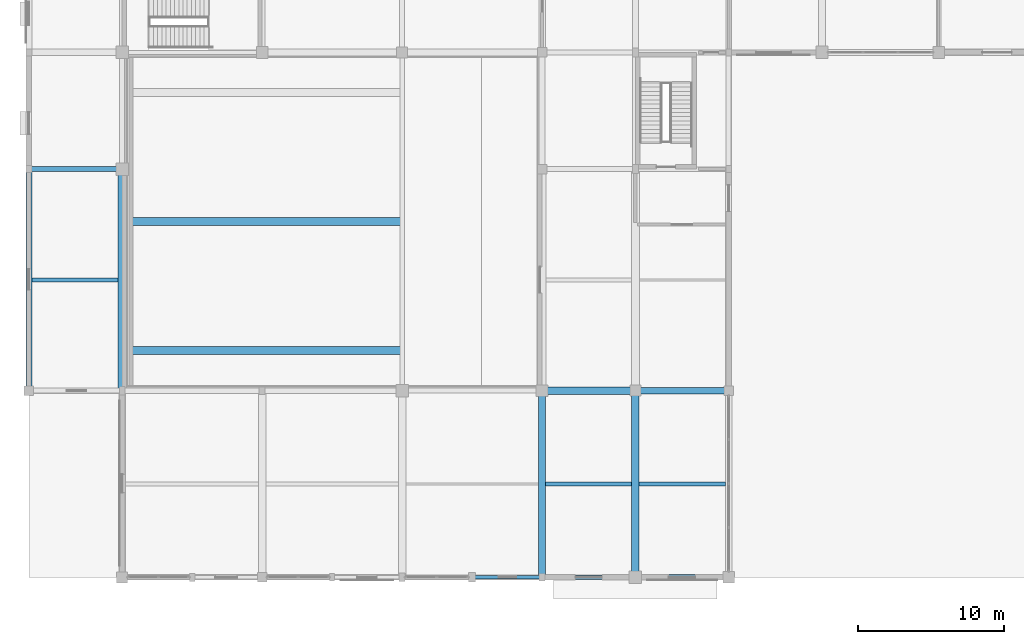
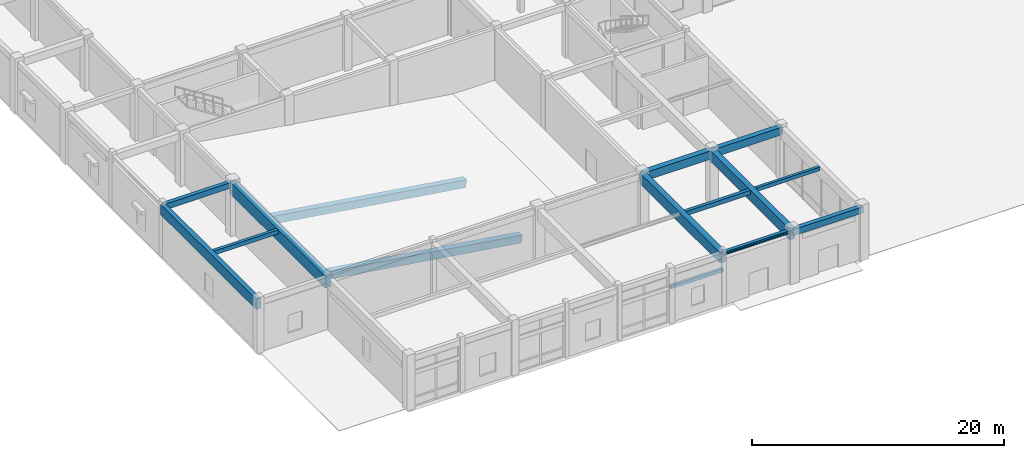
# One storey, part 5 of 40: 15 beams.
"""IFC4 building model written with IfcOpenShell, lengths in metres."""

import ifcopenshell
import ifcopenshell.guid

model = None  # the IFC model being written
_history = None  # IfcOwnerHistory: only IFC2X3 demands one
_inside = {}  # id of a spatial element -> (the spatial element, [elements in it])
_under = {}  # id of a project, library or spatial element -> (it, [spatial elements below it])
_declared = {}  # id of a project -> (the project, [libraries it declares])
_typed = {}  # id of a type object -> (the type object, [elements of that type])
_made_of = {}  # id of a material, layer set ... -> (it, [elements and type objects made of it])


def new_model(schema):
    """Start an empty IFC model of exactly this schema.

    Asked for "IFC4X3", IfcOpenShell would pick the latest addendum, in which some entities
    have other attributes; the version numbers below select the first issue.
    IFC2X3 requires an IfcOwnerHistory on every rooted entity: one is made here for all.
    """
    global model, _history
    if schema == "IFC4X3":
        model = ifcopenshell.file(schema_version=(4, 3, 0, 0))
    else:
        model = ifcopenshell.file(schema=schema)
    _inside.clear()
    _under.clear()
    _declared.clear()
    _typed.clear()
    _made_of.clear()
    _history = None
    if model.schema == "IFC2X3":
        org = make("IfcOrganization", Name="unknown")
        user = make(
            "IfcPersonAndOrganization",
            ThePerson=make("IfcPerson", FamilyName="unknown"),
            TheOrganization=org,
        )
        app = make(
            "IfcApplication",
            ApplicationDeveloper=org,
            Version="unknown",
            ApplicationFullName="unknown",
            ApplicationIdentifier="unknown",
        )
        _history = make(
            "IfcOwnerHistory",
            OwningUser=user,
            OwningApplication=app,
            ChangeAction="ADDED",
            CreationDate=0,
        )
    return model


def make(cls, **values):
    """One entity of the class cls with the attributes given. An attribute that is None is left unset."""
    return model.create_entity(
        cls, **{name: value for name, value in values.items() if value is not None}
    )


def rooted(cls, **values):
    """An entity with a GlobalId (a new one), such as an element, a storey or a relation."""
    return make(cls, GlobalId=ifcopenshell.guid.new(), OwnerHistory=_history, **values)


def si_unit(unit_type, name, prefix=None):
    """IfcSIUnit, for example si_unit("LENGTHUNIT", "METRE", prefix="MILLI")."""
    return make("IfcSIUnit", UnitType=unit_type, Prefix=prefix, Name=name)


def assignment(units):
    """IfcUnitAssignment: the units of a project."""
    return None if units is None else make("IfcUnitAssignment", Units=units)


def point(xyz):
    """IfcCartesianPoint."""
    return None if xyz is None else make("IfcCartesianPoint", Coordinates=xyz)


def direction(xyz):
    """IfcDirection."""
    return None if xyz is None else make("IfcDirection", DirectionRatios=xyz)


def frame(location, z_axis=None, x_axis=None):
    """IfcAxis2Placement3D, a coordinate frame: its origin and axes. An axis left out is left unset."""
    return make(
        "IfcAxis2Placement3D",
        Location=point(location),
        Axis=direction(z_axis),
        RefDirection=direction(x_axis),
    )


def frame_2d(location, x_axis=None):
    """IfcAxis2Placement2D, a coordinate frame in the plane: its origin and x axis."""
    return make(
        "IfcAxis2Placement2D", Location=point(location), RefDirection=direction(x_axis)
    )


def origin():
    """The frame at (0, 0, 0) with its axes left unset."""
    return frame((0.0, 0.0, 0.0))


def origin_2d():
    """The frame at (0, 0) in the plane with its x axis left unset."""
    return frame_2d((0.0, 0.0))


def place(relative_to, where):
    """IfcLocalPlacement: puts the frame where relative to a parent placement (None: the world)."""
    return make(
        "IfcLocalPlacement", PlacementRelTo=relative_to, RelativePlacement=where
    )


def context(
    kind, dimensions, precision=None, world=None, true_north=None, identifier=None
):
    """IfcGeometricRepresentationContext, for example the 3D "Model" context."""
    return make(
        "IfcGeometricRepresentationContext",
        ContextIdentifier=identifier,
        ContextType=kind,
        CoordinateSpaceDimension=dimensions,
        Precision=precision,
        WorldCoordinateSystem=world,
        TrueNorth=true_north,
    )


def subcontext(parent, identifier, kind, view, scale=None):
    """IfcGeometricRepresentationSubContext, for example "Body" below "Model"."""
    return make(
        "IfcGeometricRepresentationSubContext",
        ContextIdentifier=identifier,
        ContextType=kind,
        ParentContext=parent,
        TargetScale=scale,
        TargetView=view,
    )


def project(units=None, contexts=None):
    """IfcProject with its units and contexts."""
    return rooted(
        "IfcProject",
        Name="project",
        RepresentationContexts=contexts,
        UnitsInContext=assignment(units),
    )


def spatial(cls, under=None, at=None, **own):
    """A site, building, storey or space (cls), placed at a placement, below another one or the project."""
    s = rooted(cls, ObjectPlacement=at, **own)
    if under is not None:
        _under.setdefault(under.id(), (under, []))[1].append(s)
    return s


def profile(cls, at=None, kind="AREA", **sizes):
    """A parametric profile (cls). Its sizes go by their IFC names, for example OverallWidth=200.0."""
    return make(cls, ProfileType=kind, Position=at, **sizes)


def rectangle(**sizes):
    """IfcRectangleProfileDef."""
    return profile("IfcRectangleProfileDef", **sizes)


def i_section(**sizes):
    """IfcIShapeProfileDef."""
    return profile("IfcIShapeProfileDef", **sizes)


def extrude(swept, where, along, depth):
    """IfcExtrudedAreaSolid: the profile swept, set in the frame where, extruded along a direction by depth."""
    return make(
        "IfcExtrudedAreaSolid",
        SweptArea=swept,
        Position=where,
        ExtrudedDirection=direction(along),
        Depth=depth,
    )


def shape(context_of_items, identifier, shape_type, items):
    """IfcShapeRepresentation: the items that make up one representation, for example the "Body"."""
    return make(
        "IfcShapeRepresentation",
        ContextOfItems=context_of_items,
        RepresentationIdentifier=identifier,
        RepresentationType=shape_type,
        Items=items,
    )


def material(Name=None, Category=None):
    """IfcMaterial."""
    return make("IfcMaterial", Name=Name, Category=Category)


def material_profile(
    of_material, cross_section, Name=None, Category=None, Priority=None
):
    """IfcMaterialProfile: a cross section and its material."""
    return make(
        "IfcMaterialProfile",
        Name=Name,
        Material=of_material,
        Profile=cross_section,
        Priority=Priority,
        Category=Category,
    )


def profile_set(profiles, Name=None, composite=None):
    """IfcMaterialProfileSet."""
    return make(
        "IfcMaterialProfileSet",
        Name=Name,
        MaterialProfiles=profiles,
        CompositeProfile=composite,
    )


def made_of(thing, what):
    """Note that an element or type object is made of a material, layer set ...; save() writes the relation."""
    if what is not None:
        _made_of.setdefault(what.id(), (what, []))[1].append(thing)
    return thing


def type_object(cls, material=None, **own):
    """A type object (cls), such as IfcWallType, which elements share."""
    return made_of(rooted(cls, **own), material)


def element(
    cls,
    number,
    at=None,
    inside=None,
    cuts=None,
    type_object=None,
    material=None,
    context=None,
    identifier="Body",
    shape_type=None,
    held_by="IfcProductDefinitionShape",
    body=None,
    shapes=None,
    **own,
):
    """One element of the class cls, such as IfcWall. Its Tag is "e" and its number.

    at: its placement. inside: the storey or other place that contains it. cuts: it is an
    opening in that element (IfcRelVoidsElement). A single representation is given by context,
    identifier, shape_type and body (its items); several are given by shapes. held_by: the class
    of the entity that holds the representations. save() writes the other relations.
    """
    e = rooted(cls, Tag="e%d" % number, ObjectPlacement=at, **own)
    if body is not None:
        shapes = [shape(context, identifier, shape_type, body)]
    if shapes is not None:
        e.Representation = make(held_by, Representations=shapes)
    if inside is not None:
        _inside.setdefault(inside.id(), (inside, []))[1].append(e)
    if cuts is not None:
        rooted(
            "IfcRelVoidsElement", RelatingBuildingElement=cuts, RelatedOpeningElement=e
        )
    if type_object is not None:
        _typed.setdefault(type_object.id(), (type_object, []))[1].append(e)
    return made_of(e, material)


def aggregate(whole, parts):
    """IfcRelAggregates: a whole, such as a stair, and the parts it consists of."""
    return rooted("IfcRelAggregates", RelatingObject=whole, RelatedObjects=parts)


def save(model, path):
    """Write the relations noted so far, then the file.

    IfcRelAggregates (storeys below a building ...), IfcRelContainedInSpatialStructure (elements
    in a storey), IfcRelDefinesByType, IfcRelAssociatesMaterial and IfcRelDeclares: one each for
    every whole, place, type object, material and project.
    """
    for whole, parts in _under.values():
        aggregate(whole, parts)
    for where, things in _inside.values():
        rooted(
            "IfcRelContainedInSpatialStructure",
            RelatedElements=things,
            RelatingStructure=where,
        )
    for kind, things in _typed.values():
        rooted("IfcRelDefinesByType", RelatedObjects=things, RelatingType=kind)
    for what, things in _made_of.values():
        rooted("IfcRelAssociatesMaterial", RelatedObjects=things, RelatingMaterial=what)
    for by, libraries in _declared.values():
        rooted("IfcRelDeclares", RelatingContext=by, RelatedDefinitions=libraries)
    model.write(path)


model = new_model("IFC4")

# Units and contexts
model_context = context("Model", 3, precision=1e-05, world=origin(), true_north=direction((0.0, 1.0)))
body_context = subcontext(model_context, "Body", "Model", "MODEL_VIEW")
ifc_project = project(units=[si_unit("LENGTHUNIT", "METRE"), si_unit("AREAUNIT", "SQUARE_METRE"), si_unit("VOLUMEUNIT", "CUBIC_METRE"), si_unit("PLANEANGLEUNIT", "RADIAN"), si_unit("MASSUNIT", "GRAM", prefix="KILO")], contexts=[model_context])

# Site, building, storey
site_placement = place(None, origin())
site = spatial("IfcSite", under=ifc_project, at=site_placement, CompositionType="ELEMENT")
building_placement = place(site_placement, origin())
building = spatial("IfcBuilding", under=site, at=building_placement, Name="Vellmiral Cinema and Media Centre", CompositionType="ELEMENT")
storey_placement = place(building_placement, origin())
storey = spatial("IfcBuildingStorey", under=building, at=storey_placement, Name="L00", CompositionType="ELEMENT", Elevation=0.0)

# Beams
ifc_material_1 = material(Name="Concrete C40/50", Category="concrete")
ifc_material_profile_1 = material_profile(ifc_material_1, rectangle(XDim=0.35009765625, YDim=0.550048828125, at=origin_2d()), Name="RC 350x550")
ifc_profile_set_1 = profile_set([ifc_material_profile_1], Name="Concrete C40/50")
beam_type_1 = type_object("IfcBeamType", Name="BM-RC-350x550", PredefinedType="BEAM", material=ifc_profile_set_1)
beam_1_placement = place(storey_placement, frame((0.0, 28.0, 4.800048828125), z_axis=(1.0, 0.0, 0.0), x_axis=(0.0, 1.0, 0.0)))
element("IfcBeam", 1, at=beam_1_placement, inside=storey, type_object=beam_type_1, Name="Grid Beam L00-X016", PredefinedType="BEAM", context=body_context, shape_type="SweptSolid", body=[
    extrude(rectangle(XDim=0.35009765625, YDim=0.550048828125, at=origin_2d()), origin(), (0.0, 0.0, 1.0), 6.39990234375),
])
ifc_material_2 = material(Name="Concrete C40/50", Category="concrete")
ifc_material_profile_2 = material_profile(ifc_material_2, rectangle(XDim=0.449951171875, YDim=0.75, at=origin_2d()), Name="RC 450x750")
ifc_profile_set_2 = profile_set([ifc_material_profile_2], Name="Concrete C40/50")
beam_type_2 = type_object("IfcBeamType", Name="BM-RC-450x750", PredefinedType="BEAM", material=ifc_profile_set_2)
beam_2_placement = place(storey_placement, frame((41.60009765625, 12.800048828125, 4.699951171875), z_axis=(1.0, 0.0, 0.0), x_axis=(0.0, 1.0, 0.0)))
element("IfcBeam", 2, at=beam_2_placement, inside=storey, type_object=beam_type_2, Name="Grid Beam L00-X011", PredefinedType="BEAM", context=body_context, shape_type="SweptSolid", body=[
    extrude(rectangle(XDim=0.449951171875, YDim=0.75, at=origin_2d()), origin(), (0.0, 0.0, 1.0), 6.39990234375),
])
ifc_material_3 = material(Name="Concrete C40/50", Category="concrete")
ifc_material_profile_3 = material_profile(ifc_material_3, rectangle(XDim=0.5, YDim=0.800048828125, at=origin_2d()), Name="RC 500x800")
ifc_profile_set_3 = profile_set([ifc_material_profile_3], Name="Concrete C40/50")
beam_type_3 = type_object("IfcBeamType", Name="BM-RC-500x800", PredefinedType="BEAM", material=ifc_profile_set_3)
beam_3_placement = place(storey_placement, frame((35.199951171875, 12.800048828125, 4.675048828125), z_axis=(1.0, 0.0, 0.0), x_axis=(0.0, 1.0, 0.0)))
element("IfcBeam", 3, at=beam_3_placement, inside=storey, type_object=beam_type_3, Name="Grid Beam L00-X010", PredefinedType="BEAM", context=body_context, shape_type="SweptSolid", body=[
    extrude(rectangle(XDim=0.5, YDim=0.800048828125, at=origin_2d()), origin(), (0.0, 0.0, 1.0), 6.400146484375),
])
ifc_material_4 = material(Name="Concrete C40/50", Category="concrete")
ifc_material_profile_4 = material_profile(ifc_material_4, rectangle(XDim=0.5, YDim=1.050048828125, at=origin_2d()), Name="RC 500x1050")
ifc_profile_set_4 = profile_set([ifc_material_profile_4], Name="Concrete C40/50")
beam_type_4 = type_object("IfcBeamType", Name="BM-RCG-500x1050", PredefinedType="BEAM", material=ifc_profile_set_4)
for number, where, z_axis, x_axis, name in (
    (4, (35.199951171875, 0.0, 4.550048828125), (0.0, 1.0, 0.0), (-1.0, 0.0, 0.0), "Grid Beam L00-Y217"),
    (5, (41.60009765625, 0.0, 4.550048828125), (0.0, 1.0, 0.0), (-1.0, 0.0, 0.0), "Grid Beam L00-Y229"),
):
    element("IfcBeam", number, at=place(storey_placement, frame(where, z_axis=z_axis, x_axis=x_axis)), inside=storey, type_object=beam_type_4, Name=name, PredefinedType="BEAM", context=body_context, shape_type="SweptSolid", body=[
        extrude(rectangle(XDim=0.5, YDim=1.050048828125, at=origin_2d()), origin(), (0.0, 0.0, 1.0), 12.800048828125),
    ])
ifc_material_5 = material(Name="Concrete C40/50", Category="concrete")
ifc_material_profile_5 = material_profile(ifc_material_5, rectangle(XDim=0.550048828125, YDim=1.14990234375, at=origin_2d()), Name="RC 550x1150")
ifc_profile_set_5 = profile_set([ifc_material_profile_5], Name="Concrete C40/50")
beam_type_5 = type_object("IfcBeamType", Name="BM-RCG-550x1150", PredefinedType="BEAM", material=ifc_profile_set_5)
beam_4_placement = place(storey_placement, frame((6.39990234375, 12.800048828125, 4.5), z_axis=(0.0, 1.0, 0.0), x_axis=(-1.0, 0.0, 0.0)))
element("IfcBeam", 6, at=beam_4_placement, inside=storey, type_object=beam_type_5, Name="Grid Beam L00-Y199", PredefinedType="BEAM", context=body_context, shape_type="SweptSolid", body=[
    extrude(rectangle(XDim=0.550048828125, YDim=1.14990234375, at=origin_2d()), origin(), (0.0, 0.0, 1.0), 15.199951171875),
])
ifc_material_6 = material(Name="Concrete C40/50", Category="concrete")
ifc_material_profile_6 = material_profile(ifc_material_6, rectangle(XDim=0.25, YDim=0.35009765625, at=origin_2d()), Name="RC 250x350")
ifc_profile_set_6 = profile_set([ifc_material_profile_6], Name="Concrete C40/50")
beam_type_6 = type_object("IfcBeamType", Name="JST-RC-250x350", PredefinedType="JOIST", material=ifc_profile_set_6)
beam_5_placement = place(storey_placement, frame((41.85009765625, 6.39990234375, 4.89990234375), z_axis=(1.0, 0.0, 0.0), x_axis=(0.0, 1.0, 0.0)))
element("IfcBeam", 7, at=beam_5_placement, inside=storey, type_object=beam_type_6, Name="Secondary Floor Joist L00-009", PredefinedType="JOIST", context=body_context, shape_type="SweptSolid", body=[
    extrude(rectangle(XDim=0.25, YDim=0.35009765625, at=origin_2d()), origin(), (0.0, 0.0, 1.0), 5.9248046875),
])
ifc_material_7 = material(Name="Concrete C40/50", Category="concrete")
ifc_material_profile_7 = material_profile(ifc_material_7, rectangle(XDim=0.280029296875, YDim=0.39990234375, at=origin_2d()), Name="RC 280x400")
ifc_profile_set_7 = profile_set([ifc_material_profile_7], Name="Concrete C40/50")
beam_type_7 = type_object("IfcBeamType", Name="JST-RC-280x400", PredefinedType="JOIST", material=ifc_profile_set_7)
beam_6_placement = place(storey_placement, frame((0.2099609375, 20.39990234375, 4.875), z_axis=(1.0, 0.0, 0.0), x_axis=(0.0, 1.0, 0.0)))
element("IfcBeam", 8, at=beam_6_placement, inside=storey, type_object=beam_type_7, Name="Secondary Floor Joist L00-001", PredefinedType="JOIST", context=body_context, shape_type="SweptSolid", body=[
    extrude(rectangle(XDim=0.280029296875, YDim=0.39990234375, at=origin_2d()), origin(), (0.0, 0.0, 1.0), 5.9150390625),
])
ifc_material_8 = material(Name="Concrete C40/50", Category="concrete")
ifc_material_profile_8 = material_profile(ifc_material_8, rectangle(XDim=0.300048828125, YDim=0.419921875, at=origin_2d()), Name="RC 300x420")
ifc_profile_set_8 = profile_set([ifc_material_profile_8], Name="Concrete C40/50")
beam_type_8 = type_object("IfcBeamType", Name="JST-RC-300x420", PredefinedType="JOIST", material=ifc_profile_set_8)
beam_7_placement = place(storey_placement, frame((35.449951171875, 6.39990234375, 4.864990234375), z_axis=(1.0, 0.0, 0.0), x_axis=(0.0, 1.0, 0.0)))
element("IfcBeam", 9, at=beam_7_placement, inside=storey, type_object=beam_type_8, Name="Secondary Floor Joist L00-006", PredefinedType="JOIST", context=body_context, shape_type="SweptSolid", body=[
    extrude(rectangle(XDim=0.300048828125, YDim=0.419921875, at=origin_2d()), origin(), (0.0, 0.0, 1.0), 5.900146484375),
])
ifc_material_9 = material(Name="Concrete C40/50", Category="concrete")
ifc_material_profile_9 = material_profile(ifc_material_9, rectangle(XDim=0.25, YDim=0.320068359375, at=origin_2d()), Name="RC 250x320")
ifc_profile_set_9 = profile_set([ifc_material_profile_9], Name="Concrete C40/50")
beam_type_9 = type_object("IfcBeamType", Name="LNT-RC-250x320", PredefinedType="LINTEL", material=ifc_profile_set_9)
beam_8_placement = place(storey_placement, frame((30.39990234375, 0.0, 3.35009765625), z_axis=(1.0, 0.0, 0.0), x_axis=(0.0, 1.0, 0.0)))
element("IfcBeam", 10, at=beam_8_placement, inside=storey, type_object=beam_type_9, Name="Promenade Arcade Lintel L00-06", PredefinedType="LINTEL", context=body_context, shape_type="SweptSolid", body=[
    extrude(rectangle(XDim=0.25, YDim=0.320068359375, at=origin_2d()), origin(), (0.0, 0.0, 1.0), 4.800048828125),
])
ifc_material_10 = material(Name="Concrete C40/50", Category="concrete")
ifc_material_profile_10 = material_profile(ifc_material_10, rectangle(XDim=0.550048828125, YDim=0.75, at=origin_2d()), Name="RC 550x750")
ifc_profile_set_10 = profile_set([ifc_material_profile_10], Name="Concrete C40/50")
beam_type_10 = type_object("IfcBeamType", Name="RAKER-BMG-550x750", PredefinedType="BEAM", material=ifc_profile_set_10)
for number, where, z_axis, x_axis, name in (
    (11, (7.0, 15.550048828125, 3.167236328125), (0.988997018844, 0.0, -0.147935447809), (0.0, 1.0, 0.0), "Cinema Screen 1 Raker Beam 1"),
    (12, (7.0, 24.39990234375, 3.167236328125), (0.988997018844, 0.0, -0.147935447809), (0.0, 1.0, 0.0), "Cinema Screen 1 Raker Beam 2"),
):
    element("IfcBeam", number, at=place(storey_placement, frame(where, z_axis=z_axis, x_axis=x_axis)), inside=storey, type_object=beam_type_10, Name=name, PredefinedType="BEAM", context=body_context, shape_type="SweptSolid", body=[
        extrude(rectangle(XDim=0.550048828125, YDim=0.75, at=origin_2d()), origin(), (0.0, 0.0, 1.0), 18.80712890625),
    ])
ifc_material_11 = material(Name="Steel S355", Category="steel")
ifc_material_profile_11 = material_profile(ifc_material_11, i_section(OverallWidth=0.300048828125, OverallDepth=0.300048828125, WebThickness=0.010986328125, FlangeThickness=0.01904296875, FilletRadius=0.027099609375, at=origin_2d()), Name="HEB 300")
ifc_profile_set_11 = profile_set([ifc_material_profile_11], Name="Steel S355")
beam_type_11 = type_object("IfcBeamType", Name="SBM-HEB300", PredefinedType="SPANDREL", material=ifc_profile_set_11)
beam_9_placement = place(storey_placement, frame((35.199951171875, 0.0, 4.925048828125), z_axis=(1.0, 0.0, 0.0), x_axis=(0.0, 1.0, 0.0)))
element("IfcBeam", 13, at=beam_9_placement, inside=storey, type_object=beam_type_11, Name="Grid Beam L00-X004", PredefinedType="SPANDREL", context=body_context, shape_type="SweptSolid", body=[
    extrude(i_section(OverallWidth=0.300048828125, OverallDepth=0.300048828125, WebThickness=0.010986328125, FlangeThickness=0.01904296875, FilletRadius=0.027099609375, at=origin_2d()), origin(), (0.0, 0.0, 1.0), 6.400146484375),
])
ifc_material_12 = material(Name="Concrete C40/50", Category="concrete")
ifc_material_profile_12 = material_profile(ifc_material_12, rectangle(XDim=0.39990234375, YDim=0.60009765625, at=origin_2d()), Name="RC 400x600")
ifc_profile_set_12 = profile_set([ifc_material_profile_12], Name="Concrete C40/50")
beam_type_12 = type_object("IfcBeamType", Name="SPD-RC-400x600", PredefinedType="SPANDREL", material=ifc_profile_set_12)
beam_10_placement = place(storey_placement, frame((41.60009765625, 0.0, 4.77490234375), z_axis=(1.0, 0.0, 0.0), x_axis=(0.0, 1.0, 0.0)))
element("IfcBeam", 14, at=beam_10_placement, inside=storey, type_object=beam_type_12, Name="Grid Beam L00-X005", PredefinedType="SPANDREL", context=body_context, shape_type="SweptSolid", body=[
    extrude(rectangle(XDim=0.39990234375, YDim=0.60009765625, at=origin_2d()), origin(), (0.0, 0.0, 1.0), 6.39990234375),
])
ifc_material_13 = material(Name="Vosges Red Sandstone Masonry", Category="masonry")
ifc_material_profile_13 = material_profile(ifc_material_13, rectangle(XDim=0.419921875, YDim=1.0, at=origin_2d()), Name="SAND 420x1000")
ifc_profile_set_13 = profile_set([ifc_material_profile_13], Name="Vosges Red Sandstone Masonry")
beam_type_13 = type_object("IfcBeamType", Name="SPD-SANDG-420x1000", PredefinedType="SPANDREL", material=ifc_profile_set_13)
beam_11_placement = place(storey_placement, frame((0.0, 12.800048828125, 4.574951171875), z_axis=(0.0, 1.0, 0.0), x_axis=(-1.0, 0.0, 0.0)))
element("IfcBeam", 15, at=beam_11_placement, inside=storey, type_object=beam_type_13, Name="Grid Beam L00-Y188", PredefinedType="SPANDREL", context=body_context, shape_type="SweptSolid", body=[
    extrude(rectangle(XDim=0.419921875, YDim=1.0, at=origin_2d()), origin(), (0.0, 0.0, 1.0), 15.199951171875),
])

save(model, "model.ifc")
